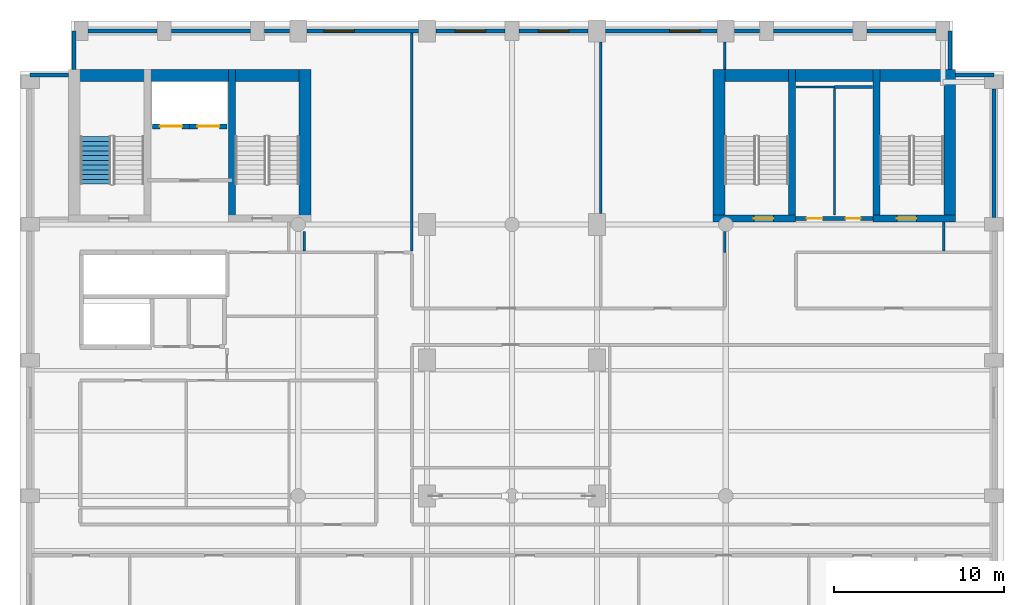
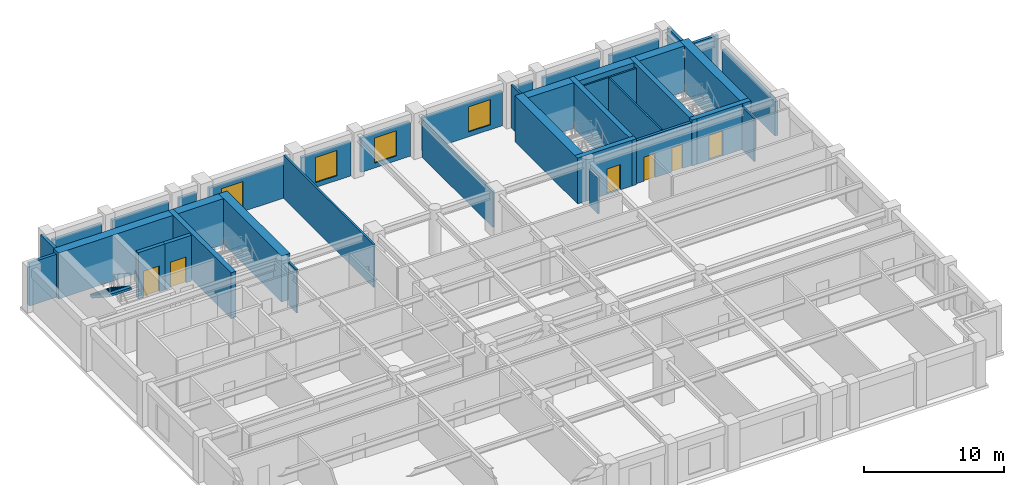
# One storey, part 7 of 10: 37 walls, 6 doors, 4 windows, 1 stair flight, 10 openings, 1 element without a shape of its own.
"""IFC4 building model written with IfcOpenShell, lengths in metres."""

from ifc_helpers import new_model, si_unit, direction, frame, frame_2d, origin, place, context, subcontext, project, spatial, polyline, rectangle, outline, extrude, material, layer, layer_set, type_object, element, fill, aggregate, save


model = new_model("IFC4")

# Units and contexts
model_context = context("Model", 3, precision=1e-05, world=origin(), true_north=direction((0.0, 1.0)))
body_context = subcontext(model_context, "Body", "Model", "MODEL_VIEW")
ifc_project = project(units=[si_unit("LENGTHUNIT", "METRE"), si_unit("AREAUNIT", "SQUARE_METRE"), si_unit("VOLUMEUNIT", "CUBIC_METRE"), si_unit("PLANEANGLEUNIT", "RADIAN"), si_unit("MASSUNIT", "GRAM", prefix="KILO")], contexts=[model_context])

# Site, building, storey
site_placement = place(None, origin())
site = spatial("IfcSite", under=ifc_project, at=site_placement, CompositionType="ELEMENT")
building_placement = place(site_placement, origin())
building = spatial("IfcBuilding", under=site, at=building_placement, Name="Sulina Concourse Tower", CompositionType="ELEMENT")
storey_placement = place(building_placement, frame((0.0, 0.0, 206.60009765625)))
storey = spatial("IfcBuildingStorey", under=building, at=storey_placement, Name="L50", CompositionType="ELEMENT", Elevation=206.60009765625)

# Wall, opening, door
ifc_material_1 = material(Name="Concrete C50/60", Category="concrete")
ifc_layer_1 = layer(ifc_material_1, 0.300048828125)
ifc_layer_set_1 = layer_set([ifc_layer_1], Name="Concrete C50/60")
wall_type_1 = type_object("IfcWallType", Name="Core Lift Hoistway Wall 300mm", PredefinedType="SOLIDWALL", material=ifc_layer_set_1)
wall_1_placement = place(storey_placement, frame((10.0, 39.780029296875, 0.0), z_axis=(0.0, 0.0, 1.0), x_axis=(-1.0, 0.0, 0.0)))
wall_1 = element("IfcWall", 1, at=wall_1_placement, inside=storey, type_object=wall_type_1, Name="L50 hoistway enclosure wall FFL-1", PredefinedType="SOLIDWALL", context=body_context, shape_type="SweptSolid", body=[
    extrude(rectangle(XDim=2.199951171875, YDim=0.300048828125, at=frame_2d((1.10009765625, 0.0))), origin(), (0.0, 0.0, 1.0), 4.0),
])
opening_1_placement = place(wall_1_placement, frame((0.449951171875, 0.0, 0.0)))
opening_1 = element("IfcOpeningElement", 2, at=opening_1_placement, cuts=wall_1, Name="Opening LD-02", PredefinedType="OPENING", context=body_context, shape_type="SweptSolid", body=[
    extrude(rectangle(XDim=1.300048828125, YDim=2.25, at=frame_2d((0.64990234375, 1.125))), frame((0.0, 0.159912109375, 0.0), z_axis=(0.0, -1.0, 0.0), x_axis=(1.0, 0.0, 0.0)), (0.0, 0.0, 1.0), 0.320068359375),
])
ifc_material_2 = material(Name="Stainless steel lift landing door", Category="steel")
ifc_layer_2 = layer(ifc_material_2, 0.050048828125)
ifc_layer_set_2 = layer_set([ifc_layer_2], Name="Stainless steel lift landing door")
door_type_1 = type_object("IfcDoorType", Name="Firefighting Lift Sliding Landing Door 1300x2250", OperationType="SLIDING_TO_RIGHT", PredefinedType="DOOR", material=ifc_layer_set_2)
door_1_placement = place(opening_1_placement, origin())
door_1 = element("IfcDoor", 3, at=door_1_placement, inside=storey, type_object=door_type_1, Name="L50 lift landing sliding door FFL-1", OperationType="SLIDING_TO_LEFT", OverallHeight=2.25, OverallWidth=1.300048828125, PredefinedType="DOOR", context=body_context, shape_type="SweptSolid", body=[
    extrude(rectangle(XDim=1.300048828125, YDim=2.25, at=frame_2d((0.64990234375, 1.125))), frame((0.0, 0.02490234375, 0.0), z_axis=(0.0, -1.0, 0.0), x_axis=(1.0, 0.0, 0.0)), (0.0, 0.0, 1.0), 0.050048828125),
])
fill(opening_1, door_1)

wall_2_placement = place(storey_placement, frame((12.199951171875, 39.780029296875, 0.0), z_axis=(0.0, 0.0, 1.0), x_axis=(-1.0, 0.0, 0.0)))
wall_2 = element("IfcWall", 4, at=wall_2_placement, inside=storey, type_object=wall_type_1, Name="L50 hoistway enclosure wall FFL-2", PredefinedType="SOLIDWALL", context=body_context, shape_type="SweptSolid", body=[
    extrude(rectangle(XDim=2.199951171875, YDim=0.300048828125, at=frame_2d((1.10009765625, 0.0))), origin(), (0.0, 0.0, 1.0), 4.0),
])
opening_2_placement = place(wall_2_placement, frame((0.449951171875, 0.0, 0.0)))
opening_2 = element("IfcOpeningElement", 5, at=opening_2_placement, cuts=wall_2, Name="Opening LD-02", PredefinedType="OPENING", context=body_context, shape_type="SweptSolid", body=[
    extrude(rectangle(XDim=1.300048828125, YDim=2.25, at=frame_2d((0.64990234375, 1.125))), frame((0.0, 0.159912109375, 0.0), z_axis=(0.0, -1.0, 0.0), x_axis=(1.0, 0.0, 0.0)), (0.0, 0.0, 1.0), 0.320068359375),
])
door_2_placement = place(opening_2_placement, origin())
door_2 = element("IfcDoor", 6, at=door_2_placement, inside=storey, type_object=door_type_1, Name="L50 lift landing sliding door FFL-2", OperationType="SLIDING_TO_RIGHT", OverallHeight=2.25, OverallWidth=1.300048828125, PredefinedType="DOOR", context=body_context, shape_type="SweptSolid", body=[
    extrude(rectangle(XDim=1.300048828125, YDim=2.25, at=frame_2d((0.64990234375, 1.125))), frame((0.0, 0.02490234375, 0.0), z_axis=(0.0, -1.0, 0.0), x_axis=(1.0, 0.0, 0.0)), (0.0, 0.0, 1.0), 0.050048828125),
])
fill(opening_2, door_2)

# Walls
ifc_material_3 = material(Name="Precast concrete C50/60", Category="concrete")
ifc_layer_3 = layer(ifc_material_3, 0.239990234375)
ifc_layer_set_3 = layer_set([ifc_layer_3], Name="Precast concrete C50/60")
wall_type_2 = type_object("IfcWallType", Name="Crown Precast Masonry-Frame Facade Wall 240mm", PredefinedType="SOLIDWALL", material=ifc_layer_set_3)
wall_3_placement = place(storey_placement, frame((4.02001953125, 45.39990234375, 0.0), z_axis=(0.0, 0.0, 1.0), x_axis=(1.0, 0.0, 0.0)))
element("IfcWall", 7, at=wall_3_placement, inside=storey, type_object=wall_type_2, Name="L50 exterior precast wall N1", PredefinedType="SOLIDWALL", context=body_context, shape_type="SweptSolid", body=[
    extrude(rectangle(XDim=4.06005859375, YDim=0.239990234375, at=frame_2d((2.030029296875, 0.0))), origin(), (0.0, 0.0, 1.0), 3.0),
])
wall_4_placement = place(storey_placement, frame((8.919921875, 45.39990234375, 0.0), z_axis=(0.0, 0.0, 1.0), x_axis=(1.0, 0.0, 0.0)))
element("IfcWall", 8, at=wall_4_placement, inside=storey, type_object=wall_type_2, Name="L50 exterior precast wall N2", PredefinedType="SOLIDWALL", context=body_context, shape_type="SweptSolid", body=[
    extrude(rectangle(XDim=4.66015625, YDim=0.239990234375, at=frame_2d((2.330078125, 0.0))), origin(), (0.0, 0.0, 1.0), 3.0),
])
wall_5_placement = place(storey_placement, frame((14.419921875, 45.39990234375, 0.0), z_axis=(0.0, 0.0, 1.0), x_axis=(1.0, 0.0, 0.0)))
element("IfcWall", 9, at=wall_5_placement, inside=storey, type_object=wall_type_2, Name="L50 exterior precast wall N3", PredefinedType="SOLIDWALL", context=body_context, shape_type="SweptSolid", body=[
    extrude(rectangle(XDim=1.4599609375, YDim=0.239990234375, at=frame_2d((0.72998046875, 0.0))), origin(), (0.0, 0.0, 1.0), 3.0),
])

# Wall, opening, window
wall_6_placement = place(storey_placement, frame((16.919921875, 45.39990234375, 0.0), z_axis=(0.0, 0.0, 1.0), x_axis=(1.0, 0.0, 0.0)))
wall_6 = element("IfcWall", 10, at=wall_6_placement, inside=storey, type_object=wall_type_2, Name="L50 exterior precast wall N4", PredefinedType="SOLIDWALL", context=body_context, shape_type="SweptSolid", body=[
    extrude(rectangle(XDim=6.56005859375, YDim=0.239990234375, at=frame_2d((3.280029296875, 0.0))), origin(), (0.0, 0.0, 1.0), 3.0),
])
opening_3_placement = place(wall_6_placement, frame((0.98681640625, 0.0, 0.419921875)))
opening_3 = element("IfcOpeningElement", 11, at=opening_3_placement, cuts=wall_6, Name="Opening WN-25", PredefinedType="OPENING", context=body_context, shape_type="SweptSolid", body=[
    extrude(rectangle(XDim=1.800048828125, YDim=2.199951171875, at=frame_2d((0.89990234375, 1.10009765625))), frame((0.0, 0.1298828125, 0.0), z_axis=(0.0, -1.0, 0.0), x_axis=(1.0, 0.0, 0.0)), (0.0, 0.0, 1.0), 0.260009765625),
])
ifc_material_4 = material(Name="Low-E solar double glazing in bronze aluminium", Category="aluminium")
window_type = type_object("IfcWindowType", Name="Punched Masonry-Frame Window 1800x2200", PartitioningType="SINGLE_PANEL", PredefinedType="WINDOW", material=ifc_material_4)
window_1_placement = place(opening_3_placement, origin())
window_1 = element("IfcWindow", 12, at=window_1_placement, inside=storey, type_object=window_type, Name="L50 punched window N4-1", OverallHeight=2.199951171875, OverallWidth=1.800048828125, PartitioningType="SINGLE_PANEL", PredefinedType="WINDOW", context=body_context, shape_type="SweptSolid", body=[
    extrude(rectangle(XDim=1.800048828125, YDim=2.199951171875, at=frame_2d((0.89990234375, 1.10009765625))), frame((0.0, 0.030029296875, 0.0), z_axis=(0.0, -1.0, 0.0), x_axis=(1.0, 0.0, 0.0)), (0.0, 0.0, 1.0), 0.06005859375),
])
fill(opening_3, window_1)

wall_7_placement = place(storey_placement, frame((24.52001953125, 45.39990234375, 0.0), z_axis=(0.0, 0.0, 1.0), x_axis=(1.0, 0.0, 0.0)))
wall_7 = element("IfcWall", 13, at=wall_7_placement, inside=storey, type_object=wall_type_2, Name="L50 exterior precast wall N5", PredefinedType="SOLIDWALL", context=body_context, shape_type="SweptSolid", body=[
    extrude(rectangle(XDim=4.06005859375, YDim=0.239990234375, at=frame_2d((2.030029296875, 0.0))), origin(), (0.0, 0.0, 1.0), 3.0),
])
opening_4_placement = place(wall_7_placement, frame((1.1298828125, 0.0, 0.419921875)))
opening_4 = element("IfcOpeningElement", 14, at=opening_4_placement, cuts=wall_7, Name="Opening WN-25", PredefinedType="OPENING", context=body_context, shape_type="SweptSolid", body=[
    extrude(rectangle(XDim=1.800048828125, YDim=2.199951171875, at=frame_2d((0.89990234375, 1.10009765625))), frame((0.0, 0.1298828125, 0.0), z_axis=(0.0, -1.0, 0.0), x_axis=(1.0, 0.0, 0.0)), (0.0, 0.0, 1.0), 0.260009765625),
])
window_2_placement = place(opening_4_placement, origin())
window_2 = element("IfcWindow", 15, at=window_2_placement, inside=storey, type_object=window_type, Name="L50 punched window N5-1", OverallHeight=2.199951171875, OverallWidth=1.800048828125, PartitioningType="SINGLE_PANEL", PredefinedType="WINDOW", context=body_context, shape_type="SweptSolid", body=[
    extrude(rectangle(XDim=1.800048828125, YDim=2.199951171875, at=frame_2d((0.89990234375, 1.10009765625))), frame((0.0, 0.030029296875, 0.0), z_axis=(0.0, -1.0, 0.0), x_axis=(1.0, 0.0, 0.0)), (0.0, 0.0, 1.0), 0.06005859375),
])
fill(opening_4, window_2)

wall_8_placement = place(storey_placement, frame((29.419921875, 45.39990234375, 0.0), z_axis=(0.0, 0.0, 1.0), x_axis=(1.0, 0.0, 0.0)))
wall_8 = element("IfcWall", 16, at=wall_8_placement, inside=storey, type_object=wall_type_2, Name="L50 exterior precast wall N6", PredefinedType="SOLIDWALL", context=body_context, shape_type="SweptSolid", body=[
    extrude(rectangle(XDim=4.06005859375, YDim=0.239990234375, at=frame_2d((2.030029296875, 0.0))), origin(), (0.0, 0.0, 1.0), 3.0),
])
opening_5_placement = place(wall_8_placement, frame((1.1298828125, 0.0, 0.419921875)))
opening_5 = element("IfcOpeningElement", 17, at=opening_5_placement, cuts=wall_8, Name="Opening WN-25", PredefinedType="OPENING", context=body_context, shape_type="SweptSolid", body=[
    extrude(rectangle(XDim=1.800048828125, YDim=2.199951171875, at=frame_2d((0.89990234375, 1.10009765625))), frame((0.0, 0.1298828125, 0.0), z_axis=(0.0, -1.0, 0.0), x_axis=(1.0, 0.0, 0.0)), (0.0, 0.0, 1.0), 0.260009765625),
])
window_3_placement = place(opening_5_placement, origin())
window_3 = element("IfcWindow", 18, at=window_3_placement, inside=storey, type_object=window_type, Name="L50 punched window N6-1", OverallHeight=2.199951171875, OverallWidth=1.800048828125, PartitioningType="SINGLE_PANEL", PredefinedType="WINDOW", context=body_context, shape_type="SweptSolid", body=[
    extrude(rectangle(XDim=1.800048828125, YDim=2.199951171875, at=frame_2d((0.89990234375, 1.10009765625))), frame((0.0, 0.030029296875, 0.0), z_axis=(0.0, -1.0, 0.0), x_axis=(1.0, 0.0, 0.0)), (0.0, 0.0, 1.0), 0.06005859375),
])
fill(opening_5, window_3)

wall_9_placement = place(storey_placement, frame((34.52001953125, 45.39990234375, 0.0), z_axis=(0.0, 0.0, 1.0), x_axis=(1.0, 0.0, 0.0)))
wall_9 = element("IfcWall", 19, at=wall_9_placement, inside=storey, type_object=wall_type_2, Name="L50 exterior precast wall N7", PredefinedType="SOLIDWALL", context=body_context, shape_type="SweptSolid", body=[
    extrude(rectangle(XDim=6.56005859375, YDim=0.239990234375, at=frame_2d((3.280029296875, 0.0))), origin(), (0.0, 0.0, 1.0), 3.0),
])
opening_6_placement = place(wall_9_placement, frame((3.773193359375, 0.0, 0.419921875)))
opening_6 = element("IfcOpeningElement", 20, at=opening_6_placement, cuts=wall_9, Name="Opening WN-25", PredefinedType="OPENING", context=body_context, shape_type="SweptSolid", body=[
    extrude(rectangle(XDim=1.800048828125, YDim=2.199951171875, at=frame_2d((0.89990234375, 1.10009765625))), frame((0.0, 0.1298828125, 0.0), z_axis=(0.0, -1.0, 0.0), x_axis=(1.0, 0.0, 0.0)), (0.0, 0.0, 1.0), 0.260009765625),
])
window_4_placement = place(opening_6_placement, origin())
window_4 = element("IfcWindow", 21, at=window_4_placement, inside=storey, type_object=window_type, Name="L50 punched window N7-1", OverallHeight=2.199951171875, OverallWidth=1.800048828125, PartitioningType="SINGLE_PANEL", PredefinedType="WINDOW", context=body_context, shape_type="SweptSolid", body=[
    extrude(rectangle(XDim=1.800048828125, YDim=2.199951171875, at=frame_2d((0.89990234375, 1.10009765625))), frame((0.0, 0.030029296875, 0.0), z_axis=(0.0, -1.0, 0.0), x_axis=(1.0, 0.0, 0.0)), (0.0, 0.0, 1.0), 0.06005859375),
])
fill(opening_6, window_4)

# Walls
wall_10_placement = place(storey_placement, frame((42.1201171875, 45.39990234375, 0.0), z_axis=(0.0, 0.0, 1.0), x_axis=(1.0, 0.0, 0.0)))
element("IfcWall", 22, at=wall_10_placement, inside=storey, type_object=wall_type_2, Name="L50 exterior precast wall N8", PredefinedType="SOLIDWALL", context=body_context, shape_type="SweptSolid", body=[
    extrude(rectangle(XDim=1.4599609375, YDim=0.239990234375, at=frame_2d((0.72998046875, 0.0))), origin(), (0.0, 0.0, 1.0), 3.0),
])
wall_11_placement = place(storey_placement, frame((44.419921875, 45.39990234375, 0.0), z_axis=(0.0, 0.0, 1.0), x_axis=(1.0, 0.0, 0.0)))
element("IfcWall", 23, at=wall_11_placement, inside=storey, type_object=wall_type_2, Name="L50 exterior precast wall N9", PredefinedType="SOLIDWALL", context=body_context, shape_type="SweptSolid", body=[
    extrude(rectangle(XDim=4.66015625, YDim=0.239990234375, at=frame_2d((2.330078125, 0.0))), origin(), (0.0, 0.0, 1.0), 3.0),
])
wall_12_placement = place(storey_placement, frame((49.919921875, 45.39990234375, 0.0), z_axis=(0.0, 0.0, 1.0), x_axis=(1.0, 0.0, 0.0)))
element("IfcWall", 24, at=wall_12_placement, inside=storey, type_object=wall_type_2, Name="L50 exterior precast wall N10", PredefinedType="SOLIDWALL", context=body_context, shape_type="SweptSolid", body=[
    extrude(rectangle(XDim=4.06005859375, YDim=0.239990234375, at=frame_2d((2.030029296875, 0.0))), origin(), (0.0, 0.0, 1.0), 3.0),
])
wall_13_placement = place(storey_placement, frame((57.39990234375, 41.97998046875, 0.0), z_axis=(0.0, 0.0, 1.0), x_axis=(0.0, -1.0, 0.0)))
element("IfcWall", 25, at=wall_13_placement, inside=storey, type_object=wall_type_2, Name="L50 exterior precast wall E5", PredefinedType="SOLIDWALL", context=body_context, shape_type="SweptSolid", body=[
    extrude(rectangle(XDim=7.56005859375, YDim=0.239990234375, at=frame_2d((3.780029296875, 0.0))), origin(), (0.0, 0.0, 1.0), 3.0),
])
wall_14_placement = place(storey_placement, frame((0.60009765625, 42.820068359375, 0.0), z_axis=(0.0, 0.0, 1.0), x_axis=(1.0, 0.0, 0.0)))
element("IfcWall", 26, at=wall_14_placement, inside=storey, type_object=wall_type_2, Name="L50 exterior precast wall CNW1", PredefinedType="SOLIDWALL", context=body_context, shape_type="SweptSolid", body=[
    extrude(rectangle(XDim=2.244873046875, YDim=0.239990234375, at=frame_2d((1.12255859375, 0.0))), origin(), (0.0, 0.0, 1.0), 3.75),
])
for number, where, z_axis, x_axis, name in (
    (27, (3.179931640625, 43.135009765625, 0.0), (0.0, 0.0, 1.0), (0.0, 1.0, 0.0), "L50 exterior precast wall CNW2"),
    (28, (54.820068359375, 45.39990234375, 0.0), (0.0, 0.0, 1.0), (0.0, -1.0, 0.0), "L50 exterior precast wall CNE1"),
):
    element("IfcWall", number, at=place(storey_placement, frame(where, z_axis=z_axis, x_axis=x_axis)), inside=storey, type_object=wall_type_2, Name=name, PredefinedType="SOLIDWALL", context=body_context, shape_type="SweptSolid", body=[
        extrude(rectangle(XDim=2.264892578125, YDim=0.239990234375, at=frame_2d((1.13232421875, 0.0))), origin(), (0.0, 0.0, 1.0), 3.75),
    ])
wall_15_placement = place(storey_placement, frame((55.155029296875, 42.820068359375, 0.0), z_axis=(0.0, 0.0, 1.0), x_axis=(1.0, 0.0, 0.0)))
element("IfcWall", 29, at=wall_15_placement, inside=storey, type_object=wall_type_2, Name="L50 exterior precast wall CNE2", PredefinedType="SOLIDWALL", context=body_context, shape_type="SweptSolid", body=[
    extrude(rectangle(XDim=2.244873046875, YDim=0.239990234375, at=frame_2d((1.12255859375, 0.0))), origin(), (0.0, 0.0, 1.0), 3.75),
])

# Wall, openings, doors
ifc_material_5 = material(Name="Gypsum board on steel stud", Category="steel")
ifc_layer_4 = layer(ifc_material_5, 0.219970703125)
ifc_layer_set_4 = layer_set([ifc_layer_4], Name="Gypsum board on steel stud")
wall_type_3 = type_object("IfcWallType", Name="Fire-Rated Lobby & Compartment Wall 220mm", PredefinedType="PARTITIONING", material=ifc_layer_set_4)
wall_16_placement = place(storey_placement, frame((45.719970703125, 34.35009765625, 0.0), z_axis=(0.0, 0.0, 1.0), x_axis=(1.0, 0.0, 0.0)))
wall_16 = element("IfcWall", 30, at=wall_16_placement, inside=storey, type_object=wall_type_3, Name="L50 east core south lobby wall", PredefinedType="PARTITIONING", context=body_context, shape_type="SweptSolid", body=[
    extrude(rectangle(XDim=4.56005859375, YDim=0.219970703125, at=frame_2d((2.280029296875, 0.0))), origin(), (0.0, 0.0, 1.0), 3.75),
])
opening_7_placement = place(wall_16_placement, frame((0.64990234375, 0.0, 0.0)))
opening_7 = element("IfcOpeningElement", 31, at=opening_7_placement, cuts=wall_16, Name="Opening DR-61", PredefinedType="OPENING", context=body_context, shape_type="SweptSolid", body=[
    extrude(rectangle(XDim=0.919921875, YDim=2.10009765625, at=frame_2d((0.4599609375, 1.050048828125))), frame((0.0, 0.119873046875, 0.0), z_axis=(0.0, -1.0, 0.0), x_axis=(1.0, 0.0, 0.0)), (0.0, 0.0, 1.0), 0.239990234375),
])
opening_8_placement = place(wall_16_placement, frame((2.949951171875, 0.0, 0.0)))
opening_8 = element("IfcOpeningElement", 32, at=opening_8_placement, cuts=wall_16, Name="Opening DR-38", PredefinedType="OPENING", context=body_context, shape_type="SweptSolid", body=[
    extrude(rectangle(XDim=0.8798828125, YDim=2.10009765625, at=frame_2d((0.43994140625, 1.050048828125))), frame((0.0, 0.119873046875, 0.0), z_axis=(0.0, -1.0, 0.0), x_axis=(1.0, 0.0, 0.0)), (0.0, 0.0, 1.0), 0.239990234375),
])
ifc_material_6 = material(Name="Oak-veneered fire door leaf")
ifc_layer_5 = layer(ifc_material_6, 0.050048828125)
ifc_layer_set_5 = layer_set([ifc_layer_5], Name="Oak-veneered fire door leaf")
door_type_2 = type_object("IfcDoorType", Name="Accessible WC Door 920x2100", OperationType="NOTDEFINED", PredefinedType="DOOR", material=ifc_layer_set_5)
door_3_placement = place(opening_7_placement, origin())
door_3 = element("IfcDoor", 33, at=door_3_placement, inside=storey, type_object=door_type_2, Name="L50 east core accessible wc door", OperationType="SINGLE_SWING_LEFT", OverallHeight=2.10009765625, OverallWidth=0.919921875, PredefinedType="DOOR", context=body_context, shape_type="SweptSolid", body=[
    extrude(rectangle(XDim=0.919921875, YDim=2.10009765625, at=frame_2d((0.4599609375, 1.050048828125))), frame((0.0, 0.02490234375, 0.0), z_axis=(0.0, -1.0, 0.0), x_axis=(1.0, 0.0, 0.0)), (0.0, 0.0, 1.0), 0.050048828125),
])
fill(opening_7, door_3)
ifc_material_7 = material(Name="Galvanised steel acoustic fire leaf", Category="steel")
ifc_layer_6 = layer(ifc_material_7, 0.050048828125)
ifc_layer_set_6 = layer_set([ifc_layer_6], Name="Galvanised steel acoustic fire leaf")
door_type_3 = type_object("IfcDoorType", Name="Service Riser Fire Door 880x2100", OperationType="NOTDEFINED", PredefinedType="DOOR", material=ifc_layer_set_6)
door_4_placement = place(opening_8_placement, origin())
door_4 = element("IfcDoor", 34, at=door_4_placement, inside=storey, type_object=door_type_3, Name="L50 east core store door", OperationType="SINGLE_SWING_RIGHT", OverallHeight=2.10009765625, OverallWidth=0.8798828125, PredefinedType="DOOR", context=body_context, shape_type="SweptSolid", body=[
    extrude(rectangle(XDim=0.8798828125, YDim=2.10009765625, at=frame_2d((0.43994140625, 1.050048828125))), frame((0.0, 0.02490234375, 0.0), z_axis=(0.0, -1.0, 0.0), x_axis=(1.0, 0.0, 0.0)), (0.0, 0.0, 1.0), 0.050048828125),
])
fill(opening_8, door_4)

# Walls
ifc_material_8 = material(Name="Gypsum board on steel stud", Category="steel")
ifc_layer_7 = layer(ifc_material_8, 0.14990234375)
ifc_layer_set_7 = layer_set([ifc_layer_7], Name="Gypsum board on steel stud")
wall_type_4 = type_object("IfcWallType", Name="Inter-Tenancy Acoustic Partition 150mm", PredefinedType="PARTITIONING", material=ifc_layer_set_7)
wall_17_placement = place(storey_placement, frame((48.0, 42.10009765625, 0.0), z_axis=(0.0, 0.0, 1.0), x_axis=(1.0, 0.0, 0.0)))
element("IfcWall", 35, at=wall_17_placement, inside=storey, type_object=wall_type_4, Name="L50 interior partition 035", PredefinedType="PARTITIONING", context=body_context, shape_type="SweptSolid", body=[
    extrude(rectangle(XDim=2.25, YDim=0.14990234375, at=frame_2d((1.125, 0.0))), origin(), (0.0, 0.0, 1.0), 3.75),
])
wall_18_placement = place(storey_placement, frame((16.75, 32.425048828125, 0.0), z_axis=(0.0, 0.0, 1.0), x_axis=(0.0, 1.0, 0.0)))
element("IfcWall", 36, at=wall_18_placement, inside=storey, type_object=wall_type_4, Name="L50 interior partition 047", PredefinedType="PARTITIONING", context=body_context, shape_type="SweptSolid", body=[
    extrude(rectangle(XDim=1.14990234375, YDim=0.14990234375, at=frame_2d((0.574951171875, 0.0))), origin(), (0.0, 0.0, 1.0), 3.75),
])
wall_19_placement = place(storey_placement, frame((23.10009765625, 32.43994140625, 0.0), z_axis=(0.0, 0.0, 1.0), x_axis=(0.0, 1.0, 0.0)))
element("IfcWall", 37, at=wall_19_placement, inside=storey, type_object=wall_type_4, Name="L50 interior partition 055", PredefinedType="PARTITIONING", context=body_context, shape_type="SweptSolid", body=[
    extrude(rectangle(XDim=12.840087890625, YDim=0.14990234375, at=frame_2d((6.419921875, 0.0))), origin(), (0.0, 0.0, 1.0), 3.75),
])
wall_20_placement = place(storey_placement, frame((34.219970703125, 34.64990234375, 0.0), z_axis=(0.0, 0.0, 1.0), x_axis=(0.0, 1.0, 0.0)))
element("IfcWall", 38, at=wall_20_placement, inside=storey, type_object=wall_type_4, Name="L50 interior partition 057", PredefinedType="PARTITIONING", context=body_context, shape_type="SweptSolid", body=[
    extrude(rectangle(XDim=10.10009765625, YDim=0.14990234375, at=frame_2d((5.050048828125, 0.0))), origin(), (0.0, 0.0, 1.0), 3.14501953125),
])
wall_21_placement = place(storey_placement, frame((41.550048828125, 32.35009765625, 0.0), z_axis=(0.0, 0.0, 1.0), x_axis=(0.0, 1.0, 0.0)))
element("IfcWall", 39, at=wall_21_placement, inside=storey, type_object=wall_type_4, Name="L50 interior partition 062", PredefinedType="PARTITIONING", context=body_context, shape_type="SweptSolid", body=[
    extrude(rectangle(XDim=1.224853515625, YDim=0.14990234375, at=frame_2d((0.6123046875, 0.0))), origin(), (0.0, 0.0, 1.0), 3.14501953125),
])
wall_22_placement = place(storey_placement, frame((41.550048828125, 43.1298828125, 0.0), z_axis=(0.0, 0.0, 1.0), x_axis=(0.0, 1.0, 0.0)))
element("IfcWall", 40, at=wall_22_placement, inside=storey, type_object=wall_type_4, Name="L50 interior partition 063", PredefinedType="PARTITIONING", context=body_context, shape_type="SweptSolid", body=[
    extrude(rectangle(XDim=1.6201171875, YDim=0.14990234375, at=frame_2d((0.81005859375, 0.0))), origin(), (0.0, 0.0, 1.0), 3.75),
])
wall_23_placement = place(storey_placement, frame((54.449951171875, 32.425048828125, 0.0), z_axis=(0.0, 0.0, 1.0), x_axis=(0.0, 1.0, 0.0)))
element("IfcWall", 41, at=wall_23_placement, inside=storey, type_object=wall_type_4, Name="L50 interior partition 068", PredefinedType="PARTITIONING", context=body_context, shape_type="SweptSolid", body=[
    extrude(rectangle(XDim=1.724853515625, YDim=0.14990234375, at=frame_2d((0.8623046875, 0.0))), origin(), (0.0, 0.0, 1.0), 3.75),
])
ifc_material_9 = material(Name="Concrete C60/75", Category="concrete")
ifc_layer_8 = layer(ifc_material_9, 0.39990234375)
ifc_layer_set_8 = layer_set([ifc_layer_8], Name="Concrete C60/75")
wall_type_5 = type_object("IfcWallType", Name="Protected Stair Core Shear Wall 400mm", PredefinedType="SHEAR", material=ifc_layer_set_8)
wall_24_placement = place(storey_placement, frame((12.489990234375, 34.14990234375, 0.0), z_axis=(0.0, 0.0, 1.0), x_axis=(0.0, 1.0, 0.0)))
element("IfcWall", 42, at=wall_24_placement, inside=storey, type_object=wall_type_5, Name="L50 west core shear wall SW-ST2", PredefinedType="SHEAR", context=body_context, shape_type="SweptSolid", body=[
    extrude(rectangle(XDim=8.97998046875, YDim=0.39990234375, at=frame_2d((4.489990234375, 0.0))), origin(), (0.0, 0.0, 1.0), 4.0),
])

# Wall, opening, door
wall_25_placement = place(storey_placement, frame((40.85009765625, 34.35009765625, 0.0), z_axis=(0.0, 0.0, 1.0), x_axis=(1.0, 0.0, 0.0)))
wall_25 = element("IfcWall", 43, at=wall_25_placement, inside=storey, type_object=wall_type_5, Name="L50 east core shear wall CW-ES1", PredefinedType="SHEAR", context=body_context, shape_type="SweptSolid", body=[
    extrude(rectangle(XDim=4.85986328125, YDim=0.39990234375, at=frame_2d((2.429931640625, 0.0))), origin(), (0.0, 0.0, 1.0), 4.0),
])
opening_9_placement = place(wall_25_placement, frame((2.39990234375, 0.0, 0.0)))
opening_9 = element("IfcOpeningElement", 44, at=opening_9_placement, cuts=wall_25, Name="Opening DR-60", PredefinedType="OPENING", context=body_context, shape_type="SweptSolid", body=[
    extrude(rectangle(XDim=1.14990234375, YDim=2.199951171875, at=frame_2d((0.574951171875, 1.10009765625))), frame((0.0, 0.2099609375, 0.0), z_axis=(0.0, -1.0, 0.0), x_axis=(1.0, 0.0, 0.0)), (0.0, 0.0, 1.0), 0.419921875),
])
ifc_material_10 = material(Name="Galvanised steel acoustic fire leaf", Category="steel")
ifc_layer_9 = layer(ifc_material_10, 0.054931640625)
ifc_layer_set_9 = layer_set([ifc_layer_9], Name="Galvanised steel acoustic fire leaf")
door_type_4 = type_object("IfcDoorType", Name="Protected Exit Stair Fire Door 1150x2200", OperationType="NOTDEFINED", PredefinedType="DOOR", material=ifc_layer_set_9)
door_5_placement = place(opening_9_placement, origin())
door_5 = element("IfcDoor", 45, at=door_5_placement, inside=storey, type_object=door_type_4, Name="L50 stair ST-3 south lobby fire door", OperationType="SINGLE_SWING_RIGHT", OverallHeight=2.199951171875, OverallWidth=1.14990234375, PredefinedType="DOOR", context=body_context, shape_type="SweptSolid", body=[
    extrude(rectangle(XDim=1.14990234375, YDim=2.199951171875, at=frame_2d((0.574951171875, 1.10009765625))), frame((0.0, 0.02490234375, 0.0), z_axis=(0.0, -1.0, 0.0), x_axis=(1.0, 0.0, 0.0)), (0.0, 0.0, 1.0), 0.050048828125),
])
fill(opening_9, door_5)

# Wall
wall_26_placement = place(storey_placement, frame((45.510009765625, 34.14990234375, 0.0), z_axis=(0.0, 0.0, 1.0), x_axis=(0.0, 1.0, 0.0)))
element("IfcWall", 46, at=wall_26_placement, inside=storey, type_object=wall_type_5, Name="L50 east core shear wall SW-ST3", PredefinedType="SHEAR", context=body_context, shape_type="SweptSolid", body=[
    extrude(rectangle(XDim=8.97998046875, YDim=0.39990234375, at=frame_2d((4.489990234375, 0.0))), origin(), (0.0, 0.0, 1.0), 4.0),
])

# Wall, opening, door
wall_27_placement = place(storey_placement, frame((50.2900390625, 34.35009765625, 0.0), z_axis=(0.0, 0.0, 1.0), x_axis=(1.0, 0.0, 0.0)))
wall_27 = element("IfcWall", 47, at=wall_27_placement, inside=storey, type_object=wall_type_5, Name="L50 east core shear wall CW-ES2", PredefinedType="SHEAR", context=body_context, shape_type="SweptSolid", body=[
    extrude(rectangle(XDim=4.85986328125, YDim=0.39990234375, at=frame_2d((2.429931640625, 0.0))), origin(), (0.0, 0.0, 1.0), 4.0),
])
opening_10_placement = place(wall_27_placement, frame((1.39990234375, 0.0, 0.0)))
opening_10 = element("IfcOpeningElement", 48, at=opening_10_placement, cuts=wall_27, Name="Opening DR-60", PredefinedType="OPENING", context=body_context, shape_type="SweptSolid", body=[
    extrude(rectangle(XDim=1.14990234375, YDim=2.199951171875, at=frame_2d((0.574951171875, 1.10009765625))), frame((0.0, 0.2099609375, 0.0), z_axis=(0.0, -1.0, 0.0), x_axis=(1.0, 0.0, 0.0)), (0.0, 0.0, 1.0), 0.419921875),
])
door_6_placement = place(opening_10_placement, origin())
door_6 = element("IfcDoor", 49, at=door_6_placement, inside=storey, type_object=door_type_4, Name="L50 stair ST-4 south lobby fire door", OperationType="SINGLE_SWING_LEFT", OverallHeight=2.199951171875, OverallWidth=1.14990234375, PredefinedType="DOOR", context=body_context, shape_type="SweptSolid", body=[
    extrude(rectangle(XDim=1.14990234375, YDim=2.199951171875, at=frame_2d((0.574951171875, 1.10009765625))), frame((0.0, 0.02490234375, 0.0), z_axis=(0.0, -1.0, 0.0), x_axis=(1.0, 0.0, 0.0)), (0.0, 0.0, 1.0), 0.050048828125),
])
fill(opening_10, door_6)

# Walls
wall_28_placement = place(storey_placement, frame((50.489990234375, 34.14990234375, 0.0), z_axis=(0.0, 0.0, 1.0), x_axis=(0.0, 1.0, 0.0)))
element("IfcWall", 50, at=wall_28_placement, inside=storey, type_object=wall_type_5, Name="L50 east core shear wall SW-ST4", PredefinedType="SHEAR", context=body_context, shape_type="SweptSolid", body=[
    extrude(rectangle(XDim=8.97998046875, YDim=0.39990234375, at=frame_2d((4.489990234375, 0.0))), origin(), (0.0, 0.0, 1.0), 4.0),
])
ifc_material_11 = material(Name="Concrete C60/75", Category="concrete")
ifc_layer_10 = layer(ifc_material_11, 0.699951171875)
ifc_layer_set_10 = layer_set([ifc_layer_10], Name="Concrete C60/75")
wall_type_6 = type_object("IfcWallType", Name="Rear Core Shear Wall 700mm", PredefinedType="SHEAR", material=ifc_layer_set_10)
wall_29_placement = place(storey_placement, frame((2.85009765625, 42.780029296875, 0.0), z_axis=(0.0, 0.0, 1.0), x_axis=(1.0, 0.0, 0.0)))
element("IfcWall", 51, at=wall_29_placement, inside=storey, type_object=wall_type_6, Name="L50 west core shear wall CW-WN", PredefinedType="SHEAR", context=body_context, shape_type="SweptSolid", body=[
    extrude(rectangle(XDim=14.2998046875, YDim=0.699951171875, at=frame_2d((7.14990234375, 0.0))), origin(), (0.0, 0.0, 1.0), 4.0),
])
wall_30_placement = place(storey_placement, frame((16.800048828125, 34.14990234375, 0.0), z_axis=(0.0, 0.0, 1.0), x_axis=(0.0, 1.0, 0.0)))
element("IfcWall", 52, at=wall_30_placement, inside=storey, type_object=wall_type_6, Name="L50 west core shear wall CW-WE", PredefinedType="SHEAR", context=body_context, shape_type="SweptSolid", body=[
    extrude(rectangle(XDim=8.97998046875, YDim=0.699951171875, at=frame_2d((4.489990234375, 0.0))), origin(), (0.0, 0.0, 1.0), 4.0),
])
wall_31_placement = place(storey_placement, frame((40.85009765625, 42.780029296875, 0.0), z_axis=(0.0, 0.0, 1.0), x_axis=(1.0, 0.0, 0.0)))
element("IfcWall", 53, at=wall_31_placement, inside=storey, type_object=wall_type_6, Name="L50 east core shear wall CW-EN", PredefinedType="SHEAR", context=body_context, shape_type="SweptSolid", body=[
    extrude(rectangle(XDim=14.2998046875, YDim=0.699951171875, at=frame_2d((7.14990234375, 0.0))), origin(), (0.0, 0.0, 1.0), 4.0),
])
for number, where, z_axis, x_axis, name in (
    (54, (41.199951171875, 34.14990234375, 0.0), (0.0, 0.0, 1.0), (0.0, 1.0, 0.0), "L50 east core shear wall CW-EW"),
    (55, (54.800048828125, 34.14990234375, 0.0), (0.0, 0.0, 1.0), (0.0, 1.0, 0.0), "L50 east core shear wall CW-EE"),
):
    element("IfcWall", number, at=place(storey_placement, frame(where, z_axis=z_axis, x_axis=x_axis)), inside=storey, type_object=wall_type_6, Name=name, PredefinedType="SHEAR", context=body_context, shape_type="SweptSolid", body=[
        extrude(rectangle(XDim=8.97998046875, YDim=0.699951171875, at=frame_2d((4.489990234375, 0.0))), origin(), (0.0, 0.0, 1.0), 4.0),
    ])
ifc_material_12 = material(Name="Gypsum board on steel stud", Category="steel")
ifc_layer_11 = layer(ifc_material_12, 0.125)
ifc_layer_set_11 = layer_set([ifc_layer_11], Name="Gypsum board on steel stud")
wall_type_7 = type_object("IfcWallType", Name="Wet-Area Moisture-Resistant Partition 125mm", PredefinedType="PARTITIONING", material=ifc_layer_set_11)
wall_32_placement = place(storey_placement, frame((45.75, 42.10009765625, 0.0), z_axis=(0.0, 0.0, 1.0), x_axis=(1.0, 0.0, 0.0)))
element("IfcWall", 56, at=wall_32_placement, inside=storey, type_object=wall_type_7, Name="L50 interior partition 034", PredefinedType="PARTITIONING", context=body_context, shape_type="SweptSolid", body=[
    extrude(rectangle(XDim=2.25, YDim=0.125, at=frame_2d((1.125, 0.0))), origin(), (0.0, 0.0, 1.0), 3.75),
])
wall_33_placement = place(storey_placement, frame((48.0, 34.550048828125, 0.0), z_axis=(0.0, 0.0, 1.0), x_axis=(0.0, 1.0, 0.0)))
element("IfcWall", 57, at=wall_33_placement, inside=storey, type_object=wall_type_7, Name="L50 interior partition 066", PredefinedType="PARTITIONING", context=body_context, shape_type="SweptSolid", body=[
    extrude(rectangle(XDim=7.474853515625, YDim=0.125, at=frame_2d((3.7373046875, 0.0))), origin(), (0.0, 0.0, 1.0), 3.75),
])

# Stair, stair flight
ifc_material_13 = material(Name="Concrete C50/60", Category="concrete")
stair_type = type_object("IfcStairType", Name="Primary Core Dog-Leg Exit Stair 1800mm", PredefinedType="HALF_TURN_STAIR", material=ifc_material_13)
stair_placement = place(storey_placement, origin())
stair = element("IfcStair", 58, at=stair_placement, inside=storey, type_object=stair_type, Name="L50 ST-1", PredefinedType="HALF_TURN_STAIR")
ifc_material_14 = material(Name="Concrete C50/60", Category="concrete")
stair_flight_type = type_object("IfcStairFlightType", Name="Primary Core Dog-Leg Exit Stair 1800mm Flight", PredefinedType="STRAIGHT", material=ifc_material_14)
stair_flight_placement = place(storey_placement, frame((4.455078125, 39.175048828125, 2.0), z_axis=(0.0, 0.0, 1.0), x_axis=(0.0, -1.0, 0.0)))
stair_flight = element("IfcStairFlight", 59, at=stair_flight_placement, type_object=stair_flight_type, Name="ST-1 flight 2", NumberOfRisers=11, NumberOfTreads=10, PredefinedType="STRAIGHT", RiserHeight=0.181818182, TreadLength=0.28, context=body_context, shape_type="SweptSolid", body=[
    extrude(outline(polyline([(0.0, 0.0), (0.0, 0.181884765625), (0.280029296875, 0.181884765625), (0.280029296875, 0.363525390625), (0.56005859375, 0.363525390625), (0.56005859375, 0.54541015625), (0.840087890625, 0.54541015625), (0.840087890625, 0.727294921875), (1.1201171875, 0.727294921875), (1.1201171875, 0.9091796875), (1.39990234375, 0.9091796875), (1.39990234375, 1.0908203125), (1.679931640625, 1.0908203125), (1.679931640625, 1.272705078125), (1.9599609375, 1.272705078125), (1.9599609375, 1.45458984375), (2.239990234375, 1.45458984375), (2.239990234375, 1.636474609375), (2.52001953125, 1.636474609375), (2.52001953125, 1.818115234375), (2.800048828125, 1.818115234375), (2.800048828125, 2.0), (2.800048828125, 1.603759765625), (0.330322265625, 0.0), (0.0, 0.0)])), frame((0.0, 0.89990234375, 0.0), z_axis=(0.0, -1.0, 0.0), x_axis=(1.0, 0.0, 0.0)), (0.0, 0.0, 1.0), 1.800048828125),
])
aggregate(stair, [stair_flight])

save(model, "model.ifc")
